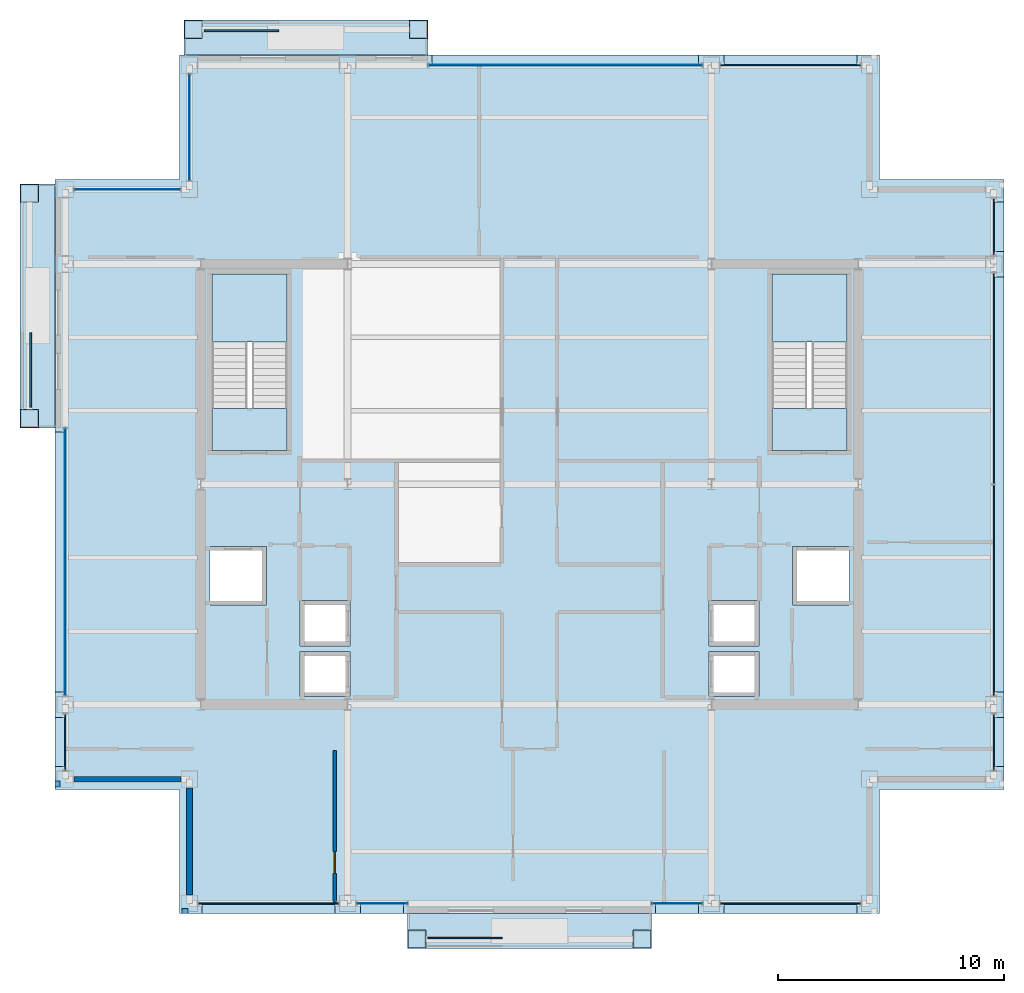
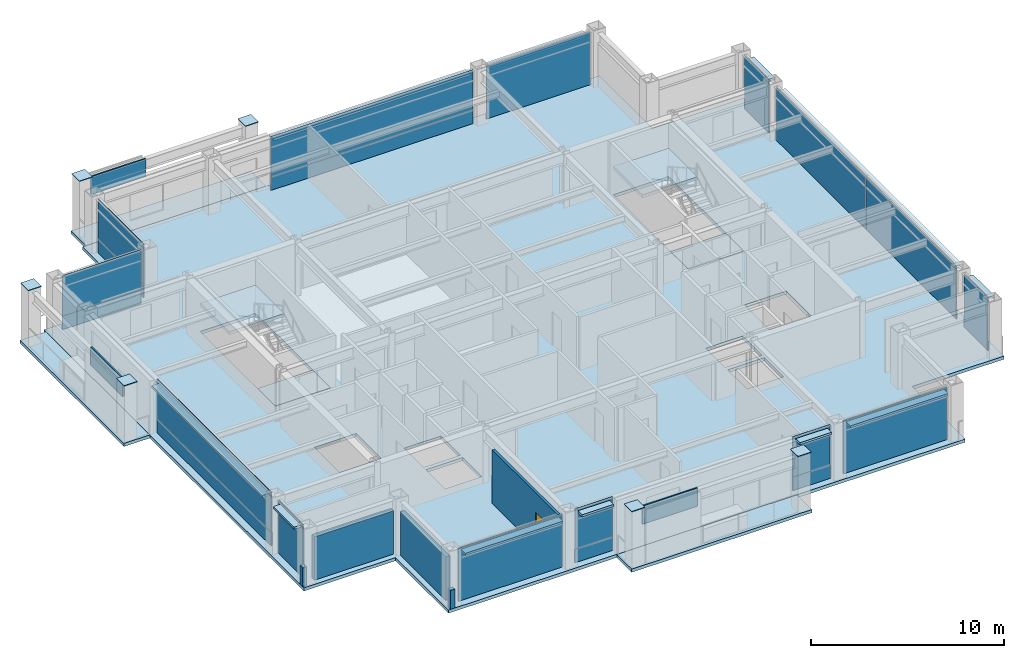
# One storey, part 22 of 27: 40 plates, 8 slabs, 5 walls, 1 door, 1 opening, 15 elements without a shape of their own.
"""IFC4 building model written with IfcOpenShell, lengths in metres."""

from ifc_helpers import new_model, si_unit, direction, frame, frame_2d, origin, origin_2d, place, context, subcontext, project, spatial, polyline, rectangle, outline, extrude, material, layer, layer_set, type_object, element, fill, aggregate, save


model = new_model("IFC4")

# Units and contexts
model_context = context("Model", 3, precision=1e-05, world=origin(), true_north=direction((0.0, 1.0)))
body_context = subcontext(model_context, "Body", "Model", "MODEL_VIEW")
ifc_project = project(units=[si_unit("LENGTHUNIT", "METRE"), si_unit("AREAUNIT", "SQUARE_METRE"), si_unit("VOLUMEUNIT", "CUBIC_METRE"), si_unit("PLANEANGLEUNIT", "RADIAN"), si_unit("MASSUNIT", "GRAM", prefix="KILO")], contexts=[model_context])

# Site, building, storey
site_placement = place(None, origin())
site = spatial("IfcSite", under=ifc_project, at=site_placement, CompositionType="ELEMENT")
building_placement = place(site_placement, origin())
building = spatial("IfcBuilding", under=site, at=building_placement, Name="Brelmoor Portico Tower", CompositionType="ELEMENT")
storey_placement = place(building_placement, frame((0.0, 0.0, 158.699951171875)))
storey = spatial("IfcBuildingStorey", under=building, at=storey_placement, Name="L41", CompositionType="ELEMENT", Elevation=158.699951171875)

# Plates
ifc_material_1 = material(Name="Steel Q355B", Category="steel")
ifc_layer_1 = layer(ifc_material_1, 0.044921875)
ifc_layer_set_1 = layer_set([ifc_layer_1], Name="Steel Q355B")
plate_type_1 = type_object("IfcPlateType", Name="PT-CAP-650", PredefinedType="SHEET", material=ifc_layer_set_1)
for number, where, z_axis, x_axis, name in (
    (1, (-4.97998046875, -20.1298828125, 3.60009765625), (0.0, 0.0, 1.0), (1.0, 0.0, 0.0), "L41 Proud Picture-Frame Pier PFJ-S1 Welded Head Cap Plate"),
    (2, (4.97998046875, -20.1298828125, 3.60009765625), (0.0, 0.0, 1.0), (1.0, 0.0, 0.0), "L41 Proud Picture-Frame Pier PFJ-S2 Welded Head Cap Plate"),
    (3, (-14.8798828125, 20.1298828125, 3.60009765625), (0.0, 0.0, 1.0), (1.0, 0.0, 0.0), "L41 Proud Picture-Frame Pier PFJ-N1 Welded Head Cap Plate"),
    (4, (-4.919921875, 20.1298828125, 3.60009765625), (0.0, 0.0, 1.0), (1.0, 0.0, 0.0), "L41 Proud Picture-Frame Pier PFJ-N2 Welded Head Cap Plate"),
    (5, (-22.1298828125, 2.919921875, 3.60009765625), (0.0, 0.0, 1.0), (0.0, 1.0, 0.0), "L41 Proud Picture-Frame Pier PFJ-W1 Welded Head Cap Plate"),
    (6, (-22.1298828125, 12.8798828125, 3.60009765625), (0.0, 0.0, 1.0), (0.0, 1.0, 0.0), "L41 Proud Picture-Frame Pier PFJ-W2 Welded Head Cap Plate"),
):
    element("IfcPlate", number, at=place(storey_placement, frame(where, z_axis=z_axis, x_axis=x_axis)), inside=storey, type_object=plate_type_1, Name=name, PredefinedType="SHEET", context=body_context, shape_type="SweptSolid", body=[
        extrude(rectangle(XDim=0.7900390625, YDim=0.7900390625, at=origin_2d()), origin(), (0.0, 0.0, 1.0), 0.0400390625),
    ])

# Curtain wall, plate
ifc_material_2 = material(Name="Anodised Aluminium Alloy 6063-T6", Category="aluminium")
ifc_layer_2 = layer(ifc_material_2, 0.179931640625)
ifc_layer_set_2 = layer_set([ifc_layer_2], Name="Anodised Aluminium Alloy 6063-T6")
curtain_wall_type_1 = type_object("IfcCurtainWallType", Name="CW-TOWER-Z3", PredefinedType="NOTDEFINED", material=ifc_layer_set_2)
curtain_wall_1_placement = place(storey_placement, origin())
curtain_wall_1 = element("IfcCurtainWall", 7, at=curtain_wall_1_placement, inside=storey, type_object=curtain_wall_type_1, Name="L41 Curtain Wall CW-L41-1L-2", PredefinedType="NOTDEFINED")
ifc_material_3 = material(Name="Double-Silver Low-E Insulated Glazing", Category="glass")
ifc_layer_3 = layer(ifc_material_3, 0.035888671875)
ifc_layer_set_3 = layer_set([ifc_layer_3], Name="Double-Silver Low-E Insulated Glazing")
plate_type_2 = type_object("IfcPlateType", Name="PT-CW-GLASS", PredefinedType="CURTAIN_PANEL", material=ifc_layer_set_3)
plate_1_placement = place(storey_placement, frame((-6.532470703125, -18.550048828125, 0.85009765625), z_axis=(0.0, 0.0, 1.0), x_axis=(1.0, 0.0, 0.0)))
plate_1 = element("IfcPlate", 8, at=plate_1_placement, type_object=plate_type_2, Name="CW-L41-1L-2 Vision Glass Panel 00", PredefinedType="CURTAIN_PANEL", context=body_context, shape_type="SweptSolid", body=[
    extrude(rectangle(XDim=2.235107421875, YDim=0.035888671875, at=origin_2d()), origin(), (0.0, 0.0, 1.0), 2.550048828125),
])

curtain_wall_2_placement = place(storey_placement, origin())
curtain_wall_2 = element("IfcCurtainWall", 9, at=curtain_wall_2_placement, inside=storey, type_object=curtain_wall_type_1, Name="L41 Curtain Wall CW-L41-1R-1", PredefinedType="NOTDEFINED")
plate_2_placement = place(storey_placement, frame((6.532470703125, -18.550048828125, 0.85009765625), z_axis=(0.0, 0.0, 1.0), x_axis=(1.0, 0.0, 0.0)))
plate_2 = element("IfcPlate", 10, at=plate_2_placement, type_object=plate_type_2, Name="CW-L41-1R-1 Vision Glass Panel 00", PredefinedType="CURTAIN_PANEL", context=body_context, shape_type="SweptSolid", body=[
    extrude(rectangle(XDim=2.235107421875, YDim=0.035888671875, at=origin_2d()), origin(), (0.0, 0.0, 1.0), 2.550048828125),
])

curtain_wall_3_placement = place(storey_placement, origin())
curtain_wall_3 = element("IfcCurtainWall", 11, at=curtain_wall_3_placement, inside=storey, type_object=curtain_wall_type_1, Name="L41 Curtain Wall CW-L41-2R-1", PredefinedType="NOTDEFINED")
plate_3_placement = place(storey_placement, frame((1.58251953125, 18.550048828125, 0.85009765625), z_axis=(0.0, 0.0, 1.0), x_axis=(1.0, 0.0, 0.0)))
plate_3 = element("IfcPlate", 12, at=plate_3_placement, type_object=plate_type_2, Name="CW-L41-2R-1 Vision Glass Panel 00", PredefinedType="CURTAIN_PANEL", context=body_context, shape_type="SweptSolid", body=[
    extrude(rectangle(XDim=12.135009765625, YDim=0.035888671875, at=origin_2d()), origin(), (0.0, 0.0, 1.0), 2.550048828125),
])

curtain_wall_4_placement = place(storey_placement, origin())
curtain_wall_4 = element("IfcCurtainWall", 13, at=curtain_wall_4_placement, inside=storey, type_object=curtain_wall_type_1, Name="L41 Curtain Wall CW-L41-3L-2", PredefinedType="NOTDEFINED")
plate_4_placement = place(storey_placement, frame((-20.550048828125, -3.4326171875, 0.85009765625), z_axis=(0.0, 0.0, 1.0), x_axis=(0.0, 1.0, 0.0)))
plate_4 = element("IfcPlate", 14, at=plate_4_placement, type_object=plate_type_2, Name="CW-L41-3L-2 Vision Glass Panel 00", PredefinedType="CURTAIN_PANEL", context=body_context, shape_type="SweptSolid", body=[
    extrude(rectangle(XDim=11.8349609375, YDim=0.035888671875, at=origin_2d()), origin(), (0.0, 0.0, 1.0), 2.550048828125),
])

ifc_layer_4 = layer(ifc_material_2, 0.179931640625)
ifc_layer_set_4 = layer_set([ifc_layer_4], Name="Anodised Aluminium Alloy 6063-T6")
curtain_wall_type_2 = type_object("IfcCurtainWallType", Name="CW-NOTCH-CHAMFER", PredefinedType="NOTDEFINED", material=ifc_layer_set_4)
curtain_wall_5_placement = place(storey_placement, origin())
curtain_wall_5 = element("IfcCurtainWall", 15, at=curtain_wall_5_placement, inside=storey, type_object=curtain_wall_type_2, Name="L41 Curtain Wall CWN-L41-NWH", PredefinedType="NOTDEFINED")
plate_5_placement = place(storey_placement, frame((-17.800048828125, 13.050048828125, 0.85009765625), z_axis=(0.0, 0.0, 1.0), x_axis=(1.0, 0.0, 0.0)))
plate_5 = element("IfcPlate", 16, at=plate_5_placement, type_object=plate_type_2, Name="CWN-L41-NWH Vision Glass Panel 00", PredefinedType="CURTAIN_PANEL", context=body_context, shape_type="SweptSolid", body=[
    extrude(rectangle(XDim=4.699951171875, YDim=0.035888671875, at=origin_2d()), origin(), (0.0, 0.0, 1.0), 2.550048828125),
])

curtain_wall_6_placement = place(storey_placement, origin())
curtain_wall_6 = element("IfcCurtainWall", 17, at=curtain_wall_6_placement, inside=storey, type_object=curtain_wall_type_2, Name="L41 Curtain Wall CWN-L41-NWV", PredefinedType="NOTDEFINED")
plate_6_placement = place(storey_placement, frame((-15.050048828125, 15.800048828125, 0.85009765625), z_axis=(0.0, 0.0, 1.0), x_axis=(0.0, 1.0, 0.0)))
plate_6 = element("IfcPlate", 18, at=plate_6_placement, type_object=plate_type_2, Name="CWN-L41-NWV Vision Glass Panel 00", PredefinedType="CURTAIN_PANEL", context=body_context, shape_type="SweptSolid", body=[
    extrude(rectangle(XDim=4.699951171875, YDim=0.035888671875, at=origin_2d()), origin(), (0.0, 0.0, 1.0), 2.550048828125),
])

ifc_layer_5 = layer(ifc_material_2, 0.179931640625)
ifc_layer_set_5 = layer_set([ifc_layer_5], Name="Anodised Aluminium Alloy 6063-T6")
curtain_wall_type_3 = type_object("IfcCurtainWallType", Name="CW-TOWER-Z3-XB", PredefinedType="NOTDEFINED", material=ifc_layer_set_5)
curtain_wall_7_placement = place(storey_placement, origin())
curtain_wall_7 = element("IfcCurtainWall", 19, at=curtain_wall_7_placement, inside=storey, type_object=curtain_wall_type_3, Name="L41 Curtain Wall CW-L41-1L-1", PredefinedType="NOTDEFINED")
ifc_material_4 = material(Name="Pale Champagne Anodised Aluminium Panel", Category="aluminium")
ifc_layer_6 = layer(ifc_material_4, 0.050048828125)
ifc_layer_set_6 = layer_set([ifc_layer_6], Name="Pale Champagne Anodised Aluminium Panel")
plate_type_3 = type_object("IfcPlateType", Name="PT-CW-SPANDREL", PredefinedType="SHEET", material=ifc_layer_set_6)
plate_7_placement = place(storey_placement, frame((-11.550048828125, -18.550048828125, 0.0), z_axis=(0.0, 0.0, 1.0), x_axis=(1.0, 0.0, 0.0)))
plate_7 = element("IfcPlate", 20, at=plate_7_placement, type_object=plate_type_3, Name="CW-L41-1L-1 Spandrel Panel 00", PredefinedType="SHEET", context=body_context, shape_type="SweptSolid", body=[
    extrude(rectangle(XDim=6.199951171875, YDim=0.050048828125, at=origin_2d()), origin(), (0.0, 0.0, 1.0), 3.33740234375),
])
aggregate(curtain_wall_7, [plate_7])

# Plate
plate_8_placement = place(storey_placement, frame((-6.532470703125, -18.550048828125, 0.0), z_axis=(0.0, 0.0, 1.0), x_axis=(1.0, 0.0, 0.0)))
plate_8 = element("IfcPlate", 21, at=plate_8_placement, type_object=plate_type_3, Name="CW-L41-1L-2 Spandrel Panel 00", PredefinedType="SHEET", context=body_context, shape_type="SweptSolid", body=[
    extrude(rectangle(XDim=2.235107421875, YDim=0.050048828125, at=origin_2d()), origin(), (0.0, 0.0, 1.0), 0.85009765625),
])

aggregate(curtain_wall_1, [plate_8, plate_1])

plate_9_placement = place(storey_placement, frame((6.532470703125, -18.550048828125, 0.0), z_axis=(0.0, 0.0, 1.0), x_axis=(1.0, 0.0, 0.0)))
plate_9 = element("IfcPlate", 22, at=plate_9_placement, type_object=plate_type_3, Name="CW-L41-1R-1 Spandrel Panel 00", PredefinedType="SHEET", context=body_context, shape_type="SweptSolid", body=[
    extrude(rectangle(XDim=2.235107421875, YDim=0.050048828125, at=origin_2d()), origin(), (0.0, 0.0, 1.0), 0.85009765625),
])

aggregate(curtain_wall_2, [plate_9, plate_2])

# Curtain wall, plate
curtain_wall_8_placement = place(storey_placement, origin())
curtain_wall_8 = element("IfcCurtainWall", 23, at=curtain_wall_8_placement, inside=storey, type_object=curtain_wall_type_3, Name="L41 Curtain Wall CW-L41-1R-2", PredefinedType="NOTDEFINED")
plate_10_placement = place(storey_placement, frame((11.550048828125, -18.550048828125, 0.0), z_axis=(0.0, 0.0, 1.0), x_axis=(1.0, 0.0, 0.0)))
plate_10 = element("IfcPlate", 24, at=plate_10_placement, type_object=plate_type_3, Name="CW-L41-1R-2 Spandrel Panel 00", PredefinedType="SHEET", context=body_context, shape_type="SweptSolid", body=[
    extrude(rectangle(XDim=6.199951171875, YDim=0.050048828125, at=origin_2d()), origin(), (0.0, 0.0, 1.0), 3.33740234375),
])
aggregate(curtain_wall_8, [plate_10])

# Plate
plate_11_placement = place(storey_placement, frame((1.58251953125, 18.550048828125, 0.0), z_axis=(0.0, 0.0, 1.0), x_axis=(1.0, 0.0, 0.0)))
plate_11 = element("IfcPlate", 25, at=plate_11_placement, type_object=plate_type_3, Name="CW-L41-2R-1 Spandrel Panel 00", PredefinedType="SHEET", context=body_context, shape_type="SweptSolid", body=[
    extrude(rectangle(XDim=12.135009765625, YDim=0.050048828125, at=origin_2d()), origin(), (0.0, 0.0, 1.0), 0.85009765625),
])

aggregate(curtain_wall_3, [plate_11, plate_3])

# Curtain wall, plate
curtain_wall_9_placement = place(storey_placement, origin())
curtain_wall_9 = element("IfcCurtainWall", 26, at=curtain_wall_9_placement, inside=storey, type_object=curtain_wall_type_3, Name="L41 Curtain Wall CW-L41-2R-2", PredefinedType="NOTDEFINED")
plate_12_placement = place(storey_placement, frame((11.550048828125, 18.550048828125, 0.0), z_axis=(0.0, 0.0, 1.0), x_axis=(1.0, 0.0, 0.0)))
plate_12 = element("IfcPlate", 27, at=plate_12_placement, type_object=plate_type_3, Name="CW-L41-2R-2 Spandrel Panel 00", PredefinedType="SHEET", context=body_context, shape_type="SweptSolid", body=[
    extrude(rectangle(XDim=6.199951171875, YDim=0.050048828125, at=origin_2d()), origin(), (0.0, 0.0, 1.0), 3.33740234375),
])
aggregate(curtain_wall_9, [plate_12])

curtain_wall_10_placement = place(storey_placement, origin())
curtain_wall_10 = element("IfcCurtainWall", 28, at=curtain_wall_10_placement, inside=storey, type_object=curtain_wall_type_3, Name="L41 Curtain Wall CW-L41-3L-1", PredefinedType="NOTDEFINED")
plate_13_placement = place(storey_placement, frame((-20.550048828125, -11.39990234375, 0.0), z_axis=(0.0, 0.0, 1.0), x_axis=(0.0, 1.0, 0.0)))
plate_13 = element("IfcPlate", 29, at=plate_13_placement, type_object=plate_type_3, Name="CW-L41-3L-1 Spandrel Panel 00", PredefinedType="SHEET", context=body_context, shape_type="SweptSolid", body=[
    extrude(rectangle(XDim=2.5, YDim=0.050048828125, at=origin_2d()), origin(), (0.0, 0.0, 1.0), 3.33740234375),
])
aggregate(curtain_wall_10, [plate_13])

# Plate
plate_14_placement = place(storey_placement, frame((-20.550048828125, -3.4326171875, 0.0), z_axis=(0.0, 0.0, 1.0), x_axis=(0.0, 1.0, 0.0)))
plate_14 = element("IfcPlate", 30, at=plate_14_placement, type_object=plate_type_3, Name="CW-L41-3L-2 Spandrel Panel 00", PredefinedType="SHEET", context=body_context, shape_type="SweptSolid", body=[
    extrude(rectangle(XDim=11.8349609375, YDim=0.050048828125, at=origin_2d()), origin(), (0.0, 0.0, 1.0), 0.85009765625),
])

aggregate(curtain_wall_4, [plate_14, plate_4])

# Curtain wall, plate
curtain_wall_11_placement = place(storey_placement, origin())
curtain_wall_11 = element("IfcCurtainWall", 31, at=curtain_wall_11_placement, inside=storey, type_object=curtain_wall_type_3, Name="L41 Curtain Wall CW-L41-04-1", PredefinedType="NOTDEFINED")
plate_15_placement = place(storey_placement, frame((20.550048828125, -11.39990234375, 0.0), z_axis=(0.0, 0.0, 1.0), x_axis=(0.0, 1.0, 0.0)))
plate_15 = element("IfcPlate", 32, at=plate_15_placement, type_object=plate_type_3, Name="CW-L41-04-1 Spandrel Panel 00", PredefinedType="SHEET", context=body_context, shape_type="SweptSolid", body=[
    extrude(rectangle(XDim=2.5, YDim=0.050048828125, at=origin_2d()), origin(), (0.0, 0.0, 1.0), 3.33740234375),
])
aggregate(curtain_wall_11, [plate_15])

# Curtain wall, plates
curtain_wall_12_placement = place(storey_placement, origin())
curtain_wall_12 = element("IfcCurtainWall", 33, at=curtain_wall_12_placement, inside=storey, type_object=curtain_wall_type_3, Name="L41 Curtain Wall CW-L41-04-2", PredefinedType="NOTDEFINED")
plate_16_placement = place(storey_placement, frame((20.550048828125, -4.6826171875, 0.0), z_axis=(0.0, 0.0, 1.0), x_axis=(0.0, 1.0, 0.0)))
plate_16 = element("IfcPlate", 34, at=plate_16_placement, type_object=plate_type_3, Name="CW-L41-04-2 Spandrel Panel 00", PredefinedType="SHEET", context=body_context, shape_type="SweptSolid", body=[
    extrude(rectangle(XDim=9.3349609375, YDim=0.050048828125, at=origin_2d()), origin(), (0.0, 0.0, 1.0), 3.33740234375),
])
plate_17_placement = place(storey_placement, frame((20.550048828125, 4.6826171875, 0.0), z_axis=(0.0, 0.0, 1.0), x_axis=(0.0, 1.0, 0.0)))
plate_17 = element("IfcPlate", 35, at=plate_17_placement, type_object=plate_type_3, Name="CW-L41-04-2 Spandrel Panel 01", PredefinedType="SHEET", context=body_context, shape_type="SweptSolid", body=[
    extrude(rectangle(XDim=9.3349609375, YDim=0.050048828125, at=origin_2d()), origin(), (0.0, 0.0, 1.0), 3.33740234375),
])
aggregate(curtain_wall_12, [plate_16, plate_17])

# Curtain wall, plate
curtain_wall_13_placement = place(storey_placement, origin())
curtain_wall_13 = element("IfcCurtainWall", 36, at=curtain_wall_13_placement, inside=storey, type_object=curtain_wall_type_3, Name="L41 Curtain Wall CW-L41-04-3", PredefinedType="NOTDEFINED")
plate_18_placement = place(storey_placement, frame((20.550048828125, 11.39990234375, 0.0), z_axis=(0.0, 0.0, 1.0), x_axis=(0.0, 1.0, 0.0)))
plate_18 = element("IfcPlate", 37, at=plate_18_placement, type_object=plate_type_3, Name="CW-L41-04-3 Spandrel Panel 00", PredefinedType="SHEET", context=body_context, shape_type="SweptSolid", body=[
    extrude(rectangle(XDim=2.5, YDim=0.050048828125, at=origin_2d()), origin(), (0.0, 0.0, 1.0), 3.33740234375),
])
aggregate(curtain_wall_13, [plate_18])

# Plate
plate_19_placement = place(storey_placement, frame((-17.800048828125, 13.050048828125, 0.0), z_axis=(0.0, 0.0, 1.0), x_axis=(1.0, 0.0, 0.0)))
plate_19 = element("IfcPlate", 38, at=plate_19_placement, type_object=plate_type_3, Name="CWN-L41-NWH Spandrel Panel 00", PredefinedType="SHEET", context=body_context, shape_type="SweptSolid", body=[
    extrude(rectangle(XDim=4.699951171875, YDim=0.050048828125, at=origin_2d()), origin(), (0.0, 0.0, 1.0), 0.85009765625),
])

aggregate(curtain_wall_5, [plate_19, plate_5])

plate_20_placement = place(storey_placement, frame((-15.050048828125, 15.800048828125, 0.0), z_axis=(0.0, 0.0, 1.0), x_axis=(0.0, 1.0, 0.0)))
plate_20 = element("IfcPlate", 39, at=plate_20_placement, type_object=plate_type_3, Name="CWN-L41-NWV Spandrel Panel 00", PredefinedType="SHEET", context=body_context, shape_type="SweptSolid", body=[
    extrude(rectangle(XDim=4.699951171875, YDim=0.050048828125, at=origin_2d()), origin(), (0.0, 0.0, 1.0), 0.85009765625),
])

aggregate(curtain_wall_6, [plate_20, plate_6])

# Plates
ifc_material_5 = material(Name="Powder-Coated Aluminium Shuttered Jalousie Louvre", Category="aluminium")
ifc_layer_7 = layer(ifc_material_5, 0.06005859375)
ifc_layer_set_7 = layer_set([ifc_layer_7], Name="Powder-Coated Aluminium Shuttered Jalousie Louvre")
plate_type_4 = type_object("IfcPlateType", Name="PT-JALOUSIE-SHUTTER", PredefinedType="SHEET", material=ifc_layer_set_7)
for number, where, z_axis, x_axis, name in (
    (40, (-2.85009765625, -20.080078125, 2.275146484375), (0.0, 0.0, 1.0), (1.0, 0.0, 0.0), "L41 Shuttered Veranda Screen S"),
    (41, (-12.75, 20.080078125, 2.275146484375), (0.0, 0.0, 1.0), (1.0, 0.0, 0.0), "L41 Shuttered Veranda Screen N"),
    (42, (-22.080078125, 5.050048828125, 2.275146484375), (0.0, 0.0, 1.0), (0.0, 1.0, 0.0), "L41 Shuttered Veranda Screen W"),
):
    element("IfcPlate", number, at=place(storey_placement, frame(where, z_axis=z_axis, x_axis=x_axis)), inside=storey, type_object=plate_type_4, Name=name, PredefinedType="SHEET", context=body_context, shape_type="SweptSolid", body=[
        extrude(rectangle(XDim=3.300048828125, YDim=0.080078125, at=origin_2d()), origin(), (0.0, 0.0, 1.0), 1.14990234375),
    ])
ifc_material_6 = material(Name="Pale Champagne Perforated Aluminium Solar Screen", Category="aluminium")
ifc_layer_8 = layer(ifc_material_6, 0.054931640625)
ifc_layer_set_8 = layer_set([ifc_layer_8], Name="Pale Champagne Perforated Aluminium Solar Screen")
plate_type_5 = type_object("IfcPlateType", Name="PT-SOLAR-LOUVRE", PredefinedType="SHEET", material=ifc_layer_set_8)
plate_21_placement = place(storey_placement, frame((-11.550048828125, -18.760009765625, 3.09033203125), z_axis=(0.0, 0.0, 1.0), x_axis=(1.0, 0.0, 0.0)))
element("IfcPlate", 43, at=plate_21_placement, inside=storey, type_object=plate_type_5, Name="CW-L41-1L-1 Caribbean Brise-Soleil Solar Screen", PredefinedType="SHEET", context=body_context, shape_type="SweptSolid", body=[
    extrude(rectangle(XDim=5.8701171875, YDim=0.4599609375, at=origin_2d()), origin(), (0.0, 0.0, 1.0), 0.139892578125),
])
for number, where, z_axis, x_axis, name in (
    (44, (-6.532470703125, -18.760009765625, 3.09033203125), (0.0, 0.0, 1.0), (1.0, 0.0, 0.0), "CW-L41-1L-2 Caribbean Brise-Soleil Solar Screen"),
    (45, (6.532470703125, -18.760009765625, 3.09033203125), (0.0, 0.0, 1.0), (1.0, 0.0, 0.0), "CW-L41-1R-1 Caribbean Brise-Soleil Solar Screen"),
):
    element("IfcPlate", number, at=place(storey_placement, frame(where, z_axis=z_axis, x_axis=x_axis)), inside=storey, type_object=plate_type_5, Name=name, PredefinedType="SHEET", context=body_context, shape_type="SweptSolid", body=[
        extrude(rectangle(XDim=1.905029296875, YDim=0.4599609375, at=origin_2d()), origin(), (0.0, 0.0, 1.0), 0.139892578125),
    ])
plate_22_placement = place(storey_placement, frame((11.550048828125, -18.760009765625, 3.09033203125), z_axis=(0.0, 0.0, 1.0), x_axis=(1.0, 0.0, 0.0)))
element("IfcPlate", 46, at=plate_22_placement, inside=storey, type_object=plate_type_5, Name="CW-L41-1R-2 Caribbean Brise-Soleil Solar Screen", PredefinedType="SHEET", context=body_context, shape_type="SweptSolid", body=[
    extrude(rectangle(XDim=5.8701171875, YDim=0.4599609375, at=origin_2d()), origin(), (0.0, 0.0, 1.0), 0.139892578125),
])
plate_23_placement = place(storey_placement, frame((1.58251953125, 18.760009765625, 3.09033203125), z_axis=(0.0, 0.0, 1.0), x_axis=(1.0, 0.0, 0.0)))
element("IfcPlate", 47, at=plate_23_placement, inside=storey, type_object=plate_type_5, Name="CW-L41-2R-1 Caribbean Brise-Soleil Solar Screen", PredefinedType="SHEET", context=body_context, shape_type="SweptSolid", body=[
    extrude(rectangle(XDim=11.804931640625, YDim=0.4599609375, at=origin_2d()), origin(), (0.0, 0.0, 1.0), 0.139892578125),
])
plate_24_placement = place(storey_placement, frame((11.550048828125, 18.760009765625, 3.09033203125), z_axis=(0.0, 0.0, 1.0), x_axis=(1.0, 0.0, 0.0)))
element("IfcPlate", 48, at=plate_24_placement, inside=storey, type_object=plate_type_5, Name="CW-L41-2R-2 Caribbean Brise-Soleil Solar Screen", PredefinedType="SHEET", context=body_context, shape_type="SweptSolid", body=[
    extrude(rectangle(XDim=5.8701171875, YDim=0.4599609375, at=origin_2d()), origin(), (0.0, 0.0, 1.0), 0.139892578125),
])
plate_25_placement = place(storey_placement, frame((-20.760009765625, -11.39990234375, 3.09033203125), z_axis=(0.0, 0.0, 1.0), x_axis=(0.0, 1.0, 0.0)))
element("IfcPlate", 49, at=plate_25_placement, inside=storey, type_object=plate_type_5, Name="CW-L41-3L-1 Caribbean Brise-Soleil Solar Screen", PredefinedType="SHEET", context=body_context, shape_type="SweptSolid", body=[
    extrude(rectangle(XDim=2.169921875, YDim=0.4599609375, at=origin_2d()), origin(), (0.0, 0.0, 1.0), 0.139892578125),
])
plate_26_placement = place(storey_placement, frame((-20.760009765625, -3.4326171875, 3.09033203125), z_axis=(0.0, 0.0, 1.0), x_axis=(0.0, 1.0, 0.0)))
element("IfcPlate", 50, at=plate_26_placement, inside=storey, type_object=plate_type_5, Name="CW-L41-3L-2 Caribbean Brise-Soleil Solar Screen", PredefinedType="SHEET", context=body_context, shape_type="SweptSolid", body=[
    extrude(rectangle(XDim=11.5048828125, YDim=0.4599609375, at=origin_2d()), origin(), (0.0, 0.0, 1.0), 0.139892578125),
])
plate_27_placement = place(storey_placement, frame((20.760009765625, -11.39990234375, 3.09033203125), z_axis=(0.0, 0.0, 1.0), x_axis=(0.0, 1.0, 0.0)))
element("IfcPlate", 51, at=plate_27_placement, inside=storey, type_object=plate_type_5, Name="CW-L41-04-1 Caribbean Brise-Soleil Solar Screen", PredefinedType="SHEET", context=body_context, shape_type="SweptSolid", body=[
    extrude(rectangle(XDim=2.169921875, YDim=0.4599609375, at=origin_2d()), origin(), (0.0, 0.0, 1.0), 0.139892578125),
])
plate_28_placement = place(storey_placement, frame((20.760009765625, 0.0, 3.09033203125), z_axis=(0.0, 0.0, 1.0), x_axis=(0.0, 1.0, 0.0)))
element("IfcPlate", 52, at=plate_28_placement, inside=storey, type_object=plate_type_5, Name="CW-L41-04-2 Caribbean Brise-Soleil Solar Screen", PredefinedType="SHEET", context=body_context, shape_type="SweptSolid", body=[
    extrude(rectangle(XDim=18.3701171875, YDim=0.4599609375, at=origin_2d()), origin(), (0.0, 0.0, 1.0), 0.139892578125),
])
plate_29_placement = place(storey_placement, frame((20.760009765625, 11.39990234375, 3.09033203125), z_axis=(0.0, 0.0, 1.0), x_axis=(0.0, 1.0, 0.0)))
element("IfcPlate", 53, at=plate_29_placement, inside=storey, type_object=plate_type_5, Name="CW-L41-04-3 Caribbean Brise-Soleil Solar Screen", PredefinedType="SHEET", context=body_context, shape_type="SweptSolid", body=[
    extrude(rectangle(XDim=2.169921875, YDim=0.4599609375, at=origin_2d()), origin(), (0.0, 0.0, 1.0), 0.139892578125),
])

# Slabs
ifc_material_7 = material(Name="Concrete C40", Category="concrete")
ifc_layer_9 = layer(ifc_material_7, 0.199951171875)
ifc_layer_set_9 = layer_set([ifc_layer_9], Name="Concrete C40")
slab_type_1 = type_object("IfcSlabType", Name="SL-BALCONY-200", PredefinedType="FLOOR", material=ifc_layer_set_9)
slab_1_placement = place(storey_placement, frame((0.0, 0.0, -0.199951171875)))
element("IfcSlab", 54, at=slab_1_placement, inside=storey, type_object=slab_type_1, Name="L41 Loggia Tree Balcony Slab S", PredefinedType="FLOOR", context=body_context, shape_type="SweptSolid", body=[
    extrude(outline(polyline([(-5.39990234375, -20.550048828125), (5.39990234375, -20.550048828125), (5.39990234375, -19.0), (-5.39990234375, -19.0), (-5.39990234375, -20.550048828125)])), origin(), (0.0, 0.0, 1.0), 0.199951171875),
])
slab_2_placement = place(storey_placement, frame((0.0, 0.0, -0.199951171875)))
element("IfcSlab", 55, at=slab_2_placement, inside=storey, type_object=slab_type_1, Name="L41 Loggia Tree Balcony Slab N", PredefinedType="FLOOR", context=body_context, shape_type="SweptSolid", body=[
    extrude(outline(polyline([(-15.300048828125, 19.0), (-4.5, 19.0), (-4.5, 20.550048828125), (-15.300048828125, 20.550048828125), (-15.300048828125, 19.0)])), origin(), (0.0, 0.0, 1.0), 0.199951171875),
])
slab_3_placement = place(storey_placement, frame((0.0, 0.0, -0.199951171875)))
element("IfcSlab", 56, at=slab_3_placement, inside=storey, type_object=slab_type_1, Name="L41 Loggia Tree Balcony Slab W", PredefinedType="FLOOR", context=body_context, shape_type="SweptSolid", body=[
    extrude(outline(polyline([(-22.550048828125, 2.5), (-21.0, 2.5), (-21.0, 13.300048828125), (-22.550048828125, 13.300048828125), (-22.550048828125, 2.5)])), origin(), (0.0, 0.0, 1.0), 0.199951171875),
])
ifc_layer_10 = layer(ifc_material_7, 0.199951171875)
ifc_layer_set_10 = layer_set([ifc_layer_10], Name="Concrete C40")
slab_type_2 = type_object("IfcSlabType", Name="SL-FLOOR-200", PredefinedType="FLOOR", material=ifc_layer_set_10)
slab_4_placement = place(storey_placement, frame((0.0, 0.0, -0.199951171875)))
element("IfcSlab", 57, at=slab_4_placement, inside=storey, type_object=slab_type_2, Name="L41 Main Structural Floor Slab", PredefinedType="FLOOR", context=body_context, shape_type="SweptSolid", body=[
    extrude(outline(polyline([(-15.5, -19.0), (15.5, -19.0), (15.5, -13.5), (21.0, -13.5), (21.0, 13.5), (15.5, 13.5), (15.5, 19.0), (-15.5, 19.0), (-15.5, 13.5), (-21.0, 13.5), (-21.0, -13.5), (-15.5, -13.5), (-15.5, -19.0)]), holes=[polyline([(-10.72998046875, 1.5), (-10.72998046875, 9.300048828125), (-14.050048828125, 9.300048828125), (-14.050048828125, 1.5), (-10.72998046875, 1.5)]), polyline([(14.050048828125, 1.5), (14.050048828125, 9.300048828125), (10.72998046875, 9.300048828125), (10.72998046875, 1.5), (14.050048828125, 1.5)]), polyline([(-10.14990234375, -9.39990234375), (-7.949951171875, -9.39990234375), (-7.949951171875, -7.39990234375), (-10.14990234375, -7.39990234375), (-10.14990234375, -9.39990234375)]), polyline([(-10.14990234375, -7.14990234375), (-7.949951171875, -7.14990234375), (-7.949951171875, -5.14990234375), (-10.14990234375, -5.14990234375), (-10.14990234375, -7.14990234375)]), polyline([(7.949951171875, -9.39990234375), (10.14990234375, -9.39990234375), (10.14990234375, -7.39990234375), (7.949951171875, -7.39990234375), (7.949951171875, -9.39990234375)]), polyline([(7.949951171875, -7.14990234375), (10.14990234375, -7.14990234375), (10.14990234375, -5.14990234375), (7.949951171875, -5.14990234375), (7.949951171875, -7.14990234375)]), polyline([(-14.14990234375, -5.35009765625), (-11.64990234375, -5.35009765625), (-11.64990234375, -2.75), (-14.14990234375, -2.75), (-14.14990234375, -5.35009765625)]), polyline([(11.64990234375, -5.35009765625), (14.14990234375, -5.35009765625), (14.14990234375, -2.75), (11.64990234375, -2.75), (11.64990234375, -5.35009765625)])]), origin(), (0.0, 0.0, 1.0), 0.199951171875),
])

# Stair, slab
stair_type_1 = type_object("IfcStairType", Name="ST-CORE-W", PredefinedType="HALF_TURN_STAIR", material=ifc_material_7)
stair_1_placement = place(storey_placement, origin())
stair_1 = element("IfcStair", 58, at=stair_1_placement, inside=storey, type_object=stair_type_1, Name="L41 Protected Core Exit Stair ST-W", PredefinedType="HALF_TURN_STAIR")
ifc_layer_11 = layer(ifc_material_7, 0.179931640625)
ifc_layer_set_11 = layer_set([ifc_layer_11], Name="Concrete C40")
slab_type_3 = type_object("IfcSlabType", Name="SL-LANDING-180", PredefinedType="LANDING", material=ifc_layer_set_11)
slab_5_placement = place(storey_placement, frame((0.0, 0.0, 1.60009765625)))
slab_5 = element("IfcSlab", 59, at=slab_5_placement, type_object=slab_type_3, Name="ST-W landing 1", PredefinedType="LANDING", context=body_context, shape_type="SweptSolid", body=[
    extrude(outline(polyline([(-10.72998046875, 6.300048828125), (-10.72998046875, 9.300048828125), (-14.050048828125, 9.300048828125), (-14.050048828125, 6.300048828125), (-10.72998046875, 6.300048828125)])), origin(), (0.0, 0.0, 1.0), 0.199951171875),
])
aggregate(stair_1, [slab_5])

stair_type_2 = type_object("IfcStairType", Name="ST-CORE-E", PredefinedType="HALF_TURN_STAIR", material=ifc_material_7)
stair_2_placement = place(storey_placement, origin())
stair_2 = element("IfcStair", 60, at=stair_2_placement, inside=storey, type_object=stair_type_2, Name="L41 Protected Core Exit Stair ST-E", PredefinedType="HALF_TURN_STAIR")
slab_6_placement = place(storey_placement, frame((0.0, 0.0, 1.60009765625)))
slab_6 = element("IfcSlab", 61, at=slab_6_placement, type_object=slab_type_3, Name="ST-E landing 1", PredefinedType="LANDING", context=body_context, shape_type="SweptSolid", body=[
    extrude(outline(polyline([(14.050048828125, 6.300048828125), (14.050048828125, 9.300048828125), (10.72998046875, 9.300048828125), (10.72998046875, 6.300048828125), (14.050048828125, 6.300048828125)])), origin(), (0.0, 0.0, 1.0), 0.199951171875),
])
aggregate(stair_2, [slab_6])

# Slabs
ifc_layer_12 = layer(ifc_material_7, 0.199951171875)
ifc_layer_set_12 = layer_set([ifc_layer_12], Name="Concrete C40")
slab_type_4 = type_object("IfcSlabType", Name="SL-STAIR-FL200", PredefinedType="LANDING", material=ifc_layer_set_12)
slab_7_placement = place(storey_placement, frame((0.0, 0.0, -0.199951171875)))
element("IfcSlab", 62, at=slab_7_placement, inside=storey, type_object=slab_type_4, Name="L41 ST-W Structural Floor Landing Slab", PredefinedType="LANDING", context=body_context, shape_type="SweptSolid", body=[
    extrude(outline(polyline([(-10.72998046875, 1.5), (-10.72998046875, 3.35009765625), (-14.050048828125, 3.35009765625), (-14.050048828125, 1.5), (-10.72998046875, 1.5)])), origin(), (0.0, 0.0, 1.0), 0.199951171875),
])
slab_8_placement = place(storey_placement, frame((0.0, 0.0, -0.199951171875)))
element("IfcSlab", 63, at=slab_8_placement, inside=storey, type_object=slab_type_4, Name="L41 ST-E Structural Floor Landing Slab", PredefinedType="LANDING", context=body_context, shape_type="SweptSolid", body=[
    extrude(outline(polyline([(14.050048828125, 1.5), (14.050048828125, 3.35009765625), (10.72998046875, 3.35009765625), (10.72998046875, 1.5), (14.050048828125, 1.5)])), origin(), (0.0, 0.0, 1.0), 0.199951171875),
])

# Walls
ifc_material_8 = material(Name="Precast Concrete C40 Insulated Facade Wall", Category="concrete")
ifc_layer_13 = layer(ifc_material_8, 0.25)
ifc_layer_set_13 = layer_set([ifc_layer_13], Name="Precast Concrete C40 Insulated Facade Wall")
wall_type_1 = type_object("IfcWallType", Name="WL-EXT-250", PredefinedType="STANDARD", material=ifc_layer_set_13)
for number, where, z_axis, x_axis, name in (
    (64, (-20.1650390625, -13.050048828125, 0.0), (0.0, 0.0, 1.0), (1.0, 0.0, 0.0), "L41 Corner Notch Facade Wall NSWH1"),
    (65, (-15.050048828125, -18.1650390625, 0.0), (0.0, 0.0, 1.0), (0.0, 1.0, 0.0), "L41 Corner Notch Facade Wall NSWV1"),
):
    element("IfcWall", number, at=place(storey_placement, frame(where, z_axis=z_axis, x_axis=x_axis)), inside=storey, type_object=wall_type_1, Name=name, PredefinedType="STANDARD", context=body_context, shape_type="SweptSolid", body=[
        extrude(rectangle(XDim=4.72998046875, YDim=0.25, at=frame_2d((2.364990234375, 0.0))), origin(), (0.0, 0.0, 1.0), 2.75),
    ])
ifc_material_9 = material(Name="Concrete C40 Parapet Upstand", Category="concrete")
ifc_layer_14 = layer(ifc_material_9, 0.219970703125)
ifc_layer_set_14 = layer_set([ifc_layer_14], Name="Concrete C40 Parapet Upstand")
wall_type_2 = type_object("IfcWallType", Name="WL-PARAPET-220", PredefinedType="PARAPET", material=ifc_layer_set_14)
for number, where, z_axis, x_axis, name in (
    (66, (-15.389892578125, -18.889892578125, 0.0), (0.0, 0.0, 1.0), (1.0, 0.0, 0.0), "L41 Chamfer Vertex Parapet Pier SW1"),
    (67, (-20.889892578125, -13.389892578125, 0.0), (0.0, 0.0, 1.0), (0.0, 1.0, 0.0), "L41 Chamfer Vertex Parapet Pier SW2"),
):
    element("IfcWall", number, at=place(storey_placement, frame(where, z_axis=z_axis, x_axis=x_axis)), inside=storey, type_object=wall_type_2, Name=name, PredefinedType="PARAPET", context=body_context, shape_type="SweptSolid", body=[
        extrude(rectangle(XDim=0.269775390625, YDim=0.219970703125, at=frame_2d((0.134765625, 0.0))), origin(), (0.0, 0.0, 1.0), 1.199951171875),
    ])

# Wall, opening, door
ifc_material_10 = material(Name="Wet-Area Moisture-Resistant Partition", Category="gypsum")
ifc_layer_15 = layer(ifc_material_10, 0.14990234375)
ifc_layer_set_15 = layer_set([ifc_layer_15], Name="Wet-Area Moisture-Resistant Partition")
wall_type_3 = type_object("IfcWallType", Name="WL-PART-150", PredefinedType="PARTITIONING", material=ifc_layer_set_15)
wall_placement = place(storey_placement, frame((-8.624267578125, -18.56005859375, 0.0), z_axis=(0.0, 0.0, 1.0), x_axis=(0.0, 1.0, 0.0)))
wall = element("IfcWall", 68, at=wall_placement, inside=storey, type_object=wall_type_3, Name="L41 South Suite Partition 1", PredefinedType="PARTITIONING", context=body_context, shape_type="SweptSolid", body=[
    extrude(rectangle(XDim=6.7900390625, YDim=0.14990234375, at=frame_2d((3.39501953125, 0.0))), origin(), (0.0, 0.0, 1.0), 3.400146484375),
])
opening_placement = place(wall_placement, frame((1.340087890625, 0.0, 0.0)))
opening = element("IfcOpeningElement", 69, at=opening_placement, cuts=wall, Name="Opening D-IN2", PredefinedType="OPENING", context=body_context, shape_type="SweptSolid", body=[
    extrude(rectangle(XDim=0.9599609375, YDim=2.179931640625, at=frame_2d((0.47998046875, 1.08984375))), frame((0.0, 0.0849609375, 0.0), z_axis=(0.0, -1.0, 0.0), x_axis=(1.0, 0.0, 0.0)), (0.0, 0.0, 1.0), 0.169921875),
])
ifc_material_11 = material(Name="Lacquered Timber Suite Door", Category="wood")
door_type = type_object("IfcDoorType", Name="DR-INT-950", OperationType="NOTDEFINED", PredefinedType="DOOR", material=ifc_material_11)
door_placement = place(opening_placement, origin())
door = element("IfcDoor", 70, at=door_placement, inside=storey, type_object=door_type, Name="D-1764 L41 South Suite Connecting Door 1", OperationType="SINGLE_SWING_LEFT", OverallHeight=2.179931640625, OverallWidth=0.9599609375, PredefinedType="DOOR", context=body_context, shape_type="SweptSolid", body=[
    extrude(rectangle(XDim=0.9599609375, YDim=2.179931640625, at=frame_2d((0.47998046875, 1.08984375))), frame((0.0, 0.02490234375, 0.0), z_axis=(0.0, -1.0, 0.0), x_axis=(1.0, 0.0, 0.0)), (0.0, 0.0, 1.0), 0.050048828125),
])
fill(opening, door)

save(model, "model.ifc")
